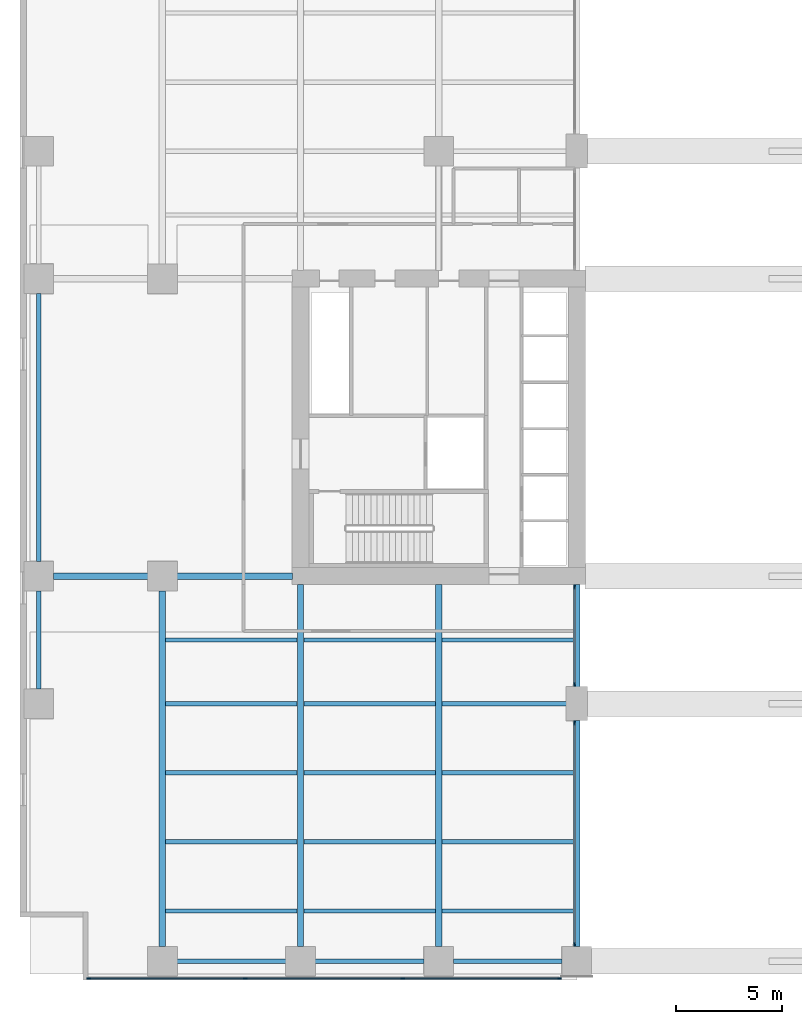
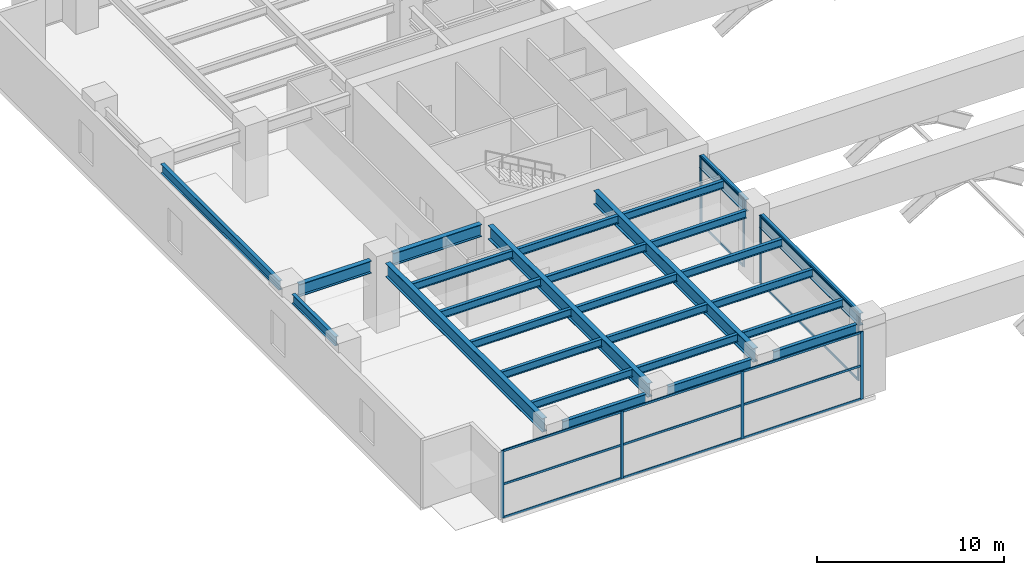
# One storey, part 2 of 23: 27 beams, 21 members, 3 elements without a shape of their own.
"""IFC4 building model written with IfcOpenShell, lengths in metres."""

from ifc_helpers import new_model, si_unit, direction, frame, origin, origin_2d, place, context, subcontext, project, spatial, rectangle, i_section, extrude, material, layer, layer_set, material_profile, profile_set, type_object, element, aggregate, save


model = new_model("IFC4")

# Units and contexts
model_context = context("Model", 3, precision=1e-05, world=origin(), true_north=direction((0.0, 1.0)))
body_context = subcontext(model_context, "Body", "Model", "MODEL_VIEW")
ifc_project = project(units=[si_unit("LENGTHUNIT", "METRE"), si_unit("AREAUNIT", "SQUARE_METRE"), si_unit("VOLUMEUNIT", "CUBIC_METRE"), si_unit("PLANEANGLEUNIT", "RADIAN"), si_unit("MASSUNIT", "GRAM", prefix="KILO")], contexts=[model_context])

# Site, building, storey
site_placement = place(None, origin())
site = spatial("IfcSite", under=ifc_project, at=site_placement, CompositionType="ELEMENT")
building_placement = place(site_placement, origin())
building = spatial("IfcBuilding", under=site, at=building_placement, Name="Putna Gate Headquarters", CompositionType="ELEMENT")
storey_placement = place(building_placement, frame((0.0, 0.0, 17.0)))
storey = spatial("IfcBuildingStorey", under=building, at=storey_placement, Name="L03", CompositionType="ELEMENT", Elevation=17.0)

# Beams
ifc_material_1 = material(Name="Steel S355J2", Category="steel")
ifc_material_profile_1 = material_profile(ifc_material_1, i_section(OverallWidth=0.300048828125, OverallDepth=0.800048828125, WebThickness=0.017578125, FlangeThickness=0.032958984375, at=origin_2d()), Name="Steel S355J2")
ifc_profile_set_1 = profile_set([ifc_material_profile_1], Name="Steel S355J2")
beam_type_1 = type_object("IfcBeamType", Name="BM-GIRD-P-HEB800", PredefinedType="USERDEFINED", material=ifc_profile_set_1)
beam_1_placement = place(storey_placement, frame((1.367919921875, 19.0, 4.0), z_axis=(1.0, 0.0, 0.0), x_axis=(0.0, 1.0, 0.0)))
element("IfcBeam", 1, at=beam_1_placement, inside=storey, type_object=beam_type_1, Name="L03 West Wing Girder Y19-1", ObjectType="GIRDER", PredefinedType="USERDEFINED", context=body_context, shape_type="SweptSolid", body=[
    extrude(i_section(OverallWidth=0.300048828125, OverallDepth=0.800048828125, WebThickness=0.017578125, FlangeThickness=0.032958984375, at=origin_2d()), origin(), (0.0, 0.0, 1.0), 4.444091796875),
])
beam_2_placement = place(storey_placement, frame((7.18798828125, 19.0, 4.0), z_axis=(1.0, 0.0, 0.0), x_axis=(0.0, 1.0, 0.0)))
element("IfcBeam", 2, at=beam_2_placement, inside=storey, type_object=beam_type_1, Name="L03 West Wing Girder Y19-2", ObjectType="GIRDER", PredefinedType="USERDEFINED", context=body_context, shape_type="SweptSolid", body=[
    extrude(i_section(OverallWidth=0.300048828125, OverallDepth=0.800048828125, WebThickness=0.017578125, FlangeThickness=0.032958984375, at=origin_2d()), origin(), (0.0, 0.0, 1.0), 5.427001953125),
])
beam_3_placement = place(storey_placement, frame((26.0, 1.568115234375, 4.0), z_axis=(0.0, 1.0, 0.0), x_axis=(-1.0, 0.0, 0.0)))
element("IfcBeam", 3, at=beam_3_placement, inside=storey, type_object=beam_type_1, Name="L03 South Primary Girder X26-1", ObjectType="GIRDER", PredefinedType="USERDEFINED", context=body_context, shape_type="SweptSolid", body=[
    extrude(i_section(OverallWidth=0.300048828125, OverallDepth=0.800048828125, WebThickness=0.017578125, FlangeThickness=0.032958984375, at=origin_2d()), origin(), (0.0, 0.0, 1.0), 10.643798828125),
])
beam_4_placement = place(storey_placement, frame((26.0, 13.7880859375, 4.0), z_axis=(0.0, 1.0, 0.0), x_axis=(-1.0, 0.0, 0.0)))
element("IfcBeam", 4, at=beam_4_placement, inside=storey, type_object=beam_type_1, Name="L03 South Primary Girder X26-2", ObjectType="GIRDER", PredefinedType="USERDEFINED", context=body_context, shape_type="SweptSolid", body=[
    extrude(i_section(OverallWidth=0.300048828125, OverallDepth=0.800048828125, WebThickness=0.017578125, FlangeThickness=0.032958984375, at=origin_2d()), origin(), (0.0, 0.0, 1.0), 4.826904296875),
])
ifc_material_profile_2 = material_profile(ifc_material_1, i_section(OverallWidth=0.300048828125, OverallDepth=0.89990234375, WebThickness=0.0185546875, FlangeThickness=0.034912109375, at=origin_2d()), Name="Steel S355J2")
ifc_profile_set_2 = profile_set([ifc_material_profile_2], Name="Steel S355J2")
beam_type_2 = type_object("IfcBeamType", Name="BM-SEC-AUD-HEB900", PredefinedType="USERDEFINED", material=ifc_profile_set_2)
beam_5_placement = place(storey_placement, frame((6.5, 1.568115234375, 3.949951171875), z_axis=(0.0, 1.0, 0.0), x_axis=(-1.0, 0.0, 0.0)))
element("IfcBeam", 5, at=beam_5_placement, inside=storey, type_object=beam_type_2, Name="L03 South Primary Girder X6", ObjectType="GIRDER", PredefinedType="USERDEFINED", context=body_context, shape_type="SweptSolid", body=[
    extrude(i_section(OverallWidth=0.300048828125, OverallDepth=0.89990234375, WebThickness=0.0185546875, FlangeThickness=0.034912109375, at=origin_2d()), origin(), (0.0, 0.0, 1.0), 16.743896484375),
])
for number, where, z_axis, x_axis, name in (
    (6, (13.0, 1.568115234375, 3.949951171875), (0.0, 1.0, 0.0), (-1.0, 0.0, 0.0), "L03 South Primary Girder X13"),
    (7, (19.5, 1.568115234375, 3.949951171875), (0.0, 1.0, 0.0), (-1.0, 0.0, 0.0), "L03 South Primary Girder X19"),
):
    element("IfcBeam", number, at=place(storey_placement, frame(where, z_axis=z_axis, x_axis=x_axis)), inside=storey, type_object=beam_type_2, Name=name, ObjectType="GIRDER", PredefinedType="USERDEFINED", context=body_context, shape_type="SweptSolid", body=[
        extrude(i_section(OverallWidth=0.300048828125, OverallDepth=0.89990234375, WebThickness=0.0185546875, FlangeThickness=0.034912109375, at=origin_2d()), origin(), (0.0, 0.0, 1.0), 17.046875),
    ])
ifc_material_profile_3 = material_profile(ifc_material_1, i_section(OverallWidth=0.199951171875, OverallDepth=0.5, WebThickness=0.01025390625, FlangeThickness=0.01611328125, at=origin_2d()), Name="Steel S355J2")
ifc_profile_set_3 = profile_set([ifc_material_profile_3], Name="Steel S355J2")
beam_type_3 = type_object("IfcBeamType", Name="BM-SEC-P-IPE500", PredefinedType="BEAM", material=ifc_profile_set_3)
for number, where, z_axis, x_axis, name in (
    (8, (6.654052734375, 3.25, 4.14990234375), (1.0, 0.0, 0.0), (0.0, 1.0, 0.0), "L03 South Secondary Beam 1"),
    (9, (6.654052734375, 6.5, 4.14990234375), (1.0, 0.0, 0.0), (0.0, 1.0, 0.0), "L03 South Secondary Beam 1"),
    (10, (6.654052734375, 9.75, 4.14990234375), (1.0, 0.0, 0.0), (0.0, 1.0, 0.0), "L03 South Secondary Beam 1"),
    (11, (6.654052734375, 13.0, 4.14990234375), (1.0, 0.0, 0.0), (0.0, 1.0, 0.0), "L03 South Secondary Beam 1"),
    (12, (6.654052734375, 16.0, 4.14990234375), (1.0, 0.0, 0.0), (0.0, 1.0, 0.0), "L03 South Secondary Beam 1"),
    (13, (13.154052734375, 3.25, 4.14990234375), (1.0, 0.0, 0.0), (0.0, 1.0, 0.0), "L03 South Secondary Beam 2"),
    (14, (13.154052734375, 6.5, 4.14990234375), (1.0, 0.0, 0.0), (0.0, 1.0, 0.0), "L03 South Secondary Beam 2"),
    (15, (13.154052734375, 9.75, 4.14990234375), (1.0, 0.0, 0.0), (0.0, 1.0, 0.0), "L03 South Secondary Beam 2"),
    (16, (13.154052734375, 13.0, 4.14990234375), (1.0, 0.0, 0.0), (0.0, 1.0, 0.0), "L03 South Secondary Beam 2"),
    (17, (13.154052734375, 16.0, 4.14990234375), (1.0, 0.0, 0.0), (0.0, 1.0, 0.0), "L03 South Secondary Beam 2"),
    (18, (19.654052734375, 3.25, 4.14990234375), (1.0, 0.0, 0.0), (0.0, 1.0, 0.0), "L03 South Secondary Beam 3"),
    (19, (19.654052734375, 6.5, 4.14990234375), (1.0, 0.0, 0.0), (0.0, 1.0, 0.0), "L03 South Secondary Beam 3"),
    (20, (19.654052734375, 9.75, 4.14990234375), (1.0, 0.0, 0.0), (0.0, 1.0, 0.0), "L03 South Secondary Beam 3"),
):
    element("IfcBeam", number, at=place(storey_placement, frame(where, z_axis=z_axis, x_axis=x_axis)), inside=storey, type_object=beam_type_3, Name=name, PredefinedType="BEAM", context=body_context, shape_type="SweptSolid", body=[
        extrude(i_section(OverallWidth=0.199951171875, OverallDepth=0.5, WebThickness=0.01025390625, FlangeThickness=0.01611328125, at=origin_2d()), origin(), (0.0, 0.0, 1.0), 6.19189453125),
    ])
beam_6_placement = place(storey_placement, frame((19.654052734375, 13.0, 4.14990234375), z_axis=(1.0, 0.0, 0.0), x_axis=(0.0, 1.0, 0.0)))
element("IfcBeam", 21, at=beam_6_placement, inside=storey, type_object=beam_type_3, Name="L03 South Secondary Beam 3", PredefinedType="BEAM", context=body_context, shape_type="SweptSolid", body=[
    extrude(i_section(OverallWidth=0.199951171875, OverallDepth=0.5, WebThickness=0.01025390625, FlangeThickness=0.01611328125, at=origin_2d()), origin(), (0.0, 0.0, 1.0), 5.85791015625),
])
beam_7_placement = place(storey_placement, frame((19.654052734375, 16.0, 4.14990234375), z_axis=(1.0, 0.0, 0.0), x_axis=(0.0, 1.0, 0.0)))
element("IfcBeam", 22, at=beam_7_placement, inside=storey, type_object=beam_type_3, Name="L03 South Secondary Beam 3", PredefinedType="BEAM", context=body_context, shape_type="SweptSolid", body=[
    extrude(i_section(OverallWidth=0.199951171875, OverallDepth=0.5, WebThickness=0.01025390625, FlangeThickness=0.01611328125, at=origin_2d()), origin(), (0.0, 0.0, 1.0), 6.19189453125),
])
ifc_material_profile_4 = material_profile(ifc_material_1, i_section(OverallWidth=0.219970703125, OverallDepth=0.60009765625, WebThickness=0.011962890625, FlangeThickness=0.01904296875, at=origin_2d()), Name="Steel S355J2")
ifc_profile_set_4 = profile_set([ifc_material_profile_4], Name="Steel S355J2")
beam_type_4 = type_object("IfcBeamType", Name="BM-SPAN-P-IPE600", PredefinedType="SPANDREL", material=ifc_profile_set_4)
for number, where, z_axis, x_axis, name in (
    (23, (7.18798828125, 0.8798828125, 4.10009765625), (1.0, 0.0, 0.0), (0.0, 1.0, 0.0), "L03 S Perimeter Spandrel 1"),
    (24, (13.68798828125, 0.8798828125, 4.10009765625), (1.0, 0.0, 0.0), (0.0, 1.0, 0.0), "L03 S Perimeter Spandrel 2"),
    (25, (20.18798828125, 0.8798828125, 4.10009765625), (1.0, 0.0, 0.0), (0.0, 1.0, 0.0), "L03 S Perimeter Spandrel 3"),
):
    element("IfcBeam", number, at=place(storey_placement, frame(where, z_axis=z_axis, x_axis=x_axis)), inside=storey, type_object=beam_type_4, Name=name, PredefinedType="SPANDREL", context=body_context, shape_type="SweptSolid", body=[
        extrude(i_section(OverallWidth=0.219970703125, OverallDepth=0.60009765625, WebThickness=0.011962890625, FlangeThickness=0.01904296875, at=origin_2d()), origin(), (0.0, 0.0, 1.0), 5.1240234375),
    ])
beam_8_placement = place(storey_placement, frame((0.679931640625, 13.68798828125, 4.10009765625), z_axis=(0.0, 1.0, 0.0), x_axis=(-1.0, 0.0, 0.0)))
element("IfcBeam", 26, at=beam_8_placement, inside=storey, type_object=beam_type_4, Name="L03 W End Spandrel 1", PredefinedType="SPANDREL", context=body_context, shape_type="SweptSolid", body=[
    extrude(i_section(OverallWidth=0.219970703125, OverallDepth=0.60009765625, WebThickness=0.011962890625, FlangeThickness=0.01904296875, at=origin_2d()), origin(), (0.0, 0.0, 1.0), 4.6240234375),
])
beam_9_placement = place(storey_placement, frame((0.679931640625, 19.68798828125, 4.10009765625), z_axis=(0.0, 1.0, 0.0), x_axis=(-1.0, 0.0, 0.0)))
element("IfcBeam", 27, at=beam_9_placement, inside=storey, type_object=beam_type_4, Name="L03 W End Spandrel 2", PredefinedType="SPANDREL", context=body_context, shape_type="SweptSolid", body=[
    extrude(i_section(OverallWidth=0.219970703125, OverallDepth=0.60009765625, WebThickness=0.011962890625, FlangeThickness=0.01904296875, at=origin_2d()), origin(), (0.0, 0.0, 1.0), 12.6240234375),
])

# Curtain wall, members
ifc_material_2 = material(Name="Anodised bronze aluminium curtain wall", Category="aluminium")
ifc_layer_1 = layer(ifc_material_2, 0.179931640625)
ifc_layer_set_1 = layer_set([ifc_layer_1], Name="Anodised bronze aluminium curtain wall")
curtain_wall_type_1 = type_object("IfcCurtainWallType", Name="CW-SYS-ATR", PredefinedType="USERDEFINED", material=ifc_layer_set_1)
curtain_wall_1_placement = place(storey_placement, origin())
curtain_wall_1 = element("IfcCurtainWall", 28, at=curtain_wall_1_placement, inside=storey, type_object=curtain_wall_type_1, Name="L03 Arch Flank Glazing W-S1", ObjectType="ATRIUM GLAZING", PredefinedType="USERDEFINED")
ifc_material_3 = material(Name="Anodised bronze aluminium EN AW-6060", Category="aluminium")
ifc_material_profile_5 = material_profile(ifc_material_3, rectangle(XDim=0.070068359375, YDim=0.179931640625, at=origin_2d()), Name="Anodised bronze aluminium EN AW-6060")
ifc_profile_set_5 = profile_set([ifc_material_profile_5], Name="Anodised bronze aluminium EN AW-6060")
member_type_1 = type_object("IfcMemberType", Name="MULL-CWM-AT", PredefinedType="MULLION", material=ifc_profile_set_5)
member_1_placement = place(storey_placement, frame((25.89990234375, 1.68505859375, 0.0), z_axis=(0.0, 0.0, 1.0), x_axis=(-1.0, 0.0, 0.0)))
member_1 = element("IfcMember", 29, at=member_1_placement, type_object=member_type_1, Name="CWS-AT mullion 1", PredefinedType="MULLION", context=body_context, shape_type="SweptSolid", body=[
    extrude(rectangle(XDim=0.070068359375, YDim=0.179931640625, at=origin_2d()), origin(), (0.0, 0.0, 1.0), 4.39990234375),
])
member_2_placement = place(storey_placement, frame((25.89990234375, 12.0849609375, 0.0), z_axis=(0.0, 0.0, 1.0), x_axis=(-1.0, 0.0, 0.0)))
member_2 = element("IfcMember", 30, at=member_2_placement, type_object=member_type_1, Name="CWS-AT mullion 2", PredefinedType="MULLION", context=body_context, shape_type="SweptSolid", body=[
    extrude(rectangle(XDim=0.070068359375, YDim=0.179931640625, at=origin_2d()), origin(), (0.0, 0.0, 1.0), 4.39990234375),
])

curtain_wall_2_placement = place(storey_placement, origin())
curtain_wall_2 = element("IfcCurtainWall", 31, at=curtain_wall_2_placement, inside=storey, type_object=curtain_wall_type_1, Name="L03 Arch Flank Glazing W-S2", ObjectType="ATRIUM GLAZING", PredefinedType="USERDEFINED")
member_3_placement = place(storey_placement, frame((25.89990234375, 13.9150390625, 0.0), z_axis=(0.0, 0.0, 1.0), x_axis=(-1.0, 0.0, 0.0)))
member_3 = element("IfcMember", 32, at=member_3_placement, type_object=member_type_1, Name="CWS-AT mullion 1", PredefinedType="MULLION", context=body_context, shape_type="SweptSolid", body=[
    extrude(rectangle(XDim=0.070068359375, YDim=0.179931640625, at=origin_2d()), origin(), (0.0, 0.0, 1.0), 4.39990234375),
])
member_4_placement = place(storey_placement, frame((25.89990234375, 18.485107421875, 0.0), z_axis=(0.0, 0.0, 1.0), x_axis=(-1.0, 0.0, 0.0)))
member_4 = element("IfcMember", 33, at=member_4_placement, type_object=member_type_1, Name="CWS-AT mullion 2", PredefinedType="MULLION", context=body_context, shape_type="SweptSolid", body=[
    extrude(rectangle(XDim=0.070068359375, YDim=0.179931640625, at=origin_2d()), origin(), (0.0, 0.0, 1.0), 4.39990234375),
])

ifc_layer_2 = layer(ifc_material_2, 0.179931640625)
ifc_layer_set_2 = layer_set([ifc_layer_2], Name="Anodised bronze aluminium curtain wall")
curtain_wall_type_2 = type_object("IfcCurtainWallType", Name="CW-SYS-POD", PredefinedType="USERDEFINED", material=ifc_layer_set_2)
curtain_wall_3_placement = place(storey_placement, origin())
curtain_wall_3 = element("IfcCurtainWall", 34, at=curtain_wall_3_placement, inside=storey, type_object=curtain_wall_type_2, Name="L03 South West Curtain Wall", ObjectType="STICK CURTAIN WALL", PredefinedType="USERDEFINED")
ifc_material_profile_6 = material_profile(ifc_material_3, rectangle(XDim=0.070068359375, YDim=0.179931640625, at=origin_2d()), Name="Anodised bronze aluminium EN AW-6060")
ifc_profile_set_6 = profile_set([ifc_material_profile_6], Name="Anodised bronze aluminium EN AW-6060")
member_type_2 = type_object("IfcMemberType", Name="MULL-CWM-P", PredefinedType="MULLION", material=ifc_profile_set_6)
member_5_placement = place(storey_placement, frame((3.034912109375, 0.080078125, 0.0), z_axis=(0.0, 0.0, 1.0), x_axis=(0.0, 1.0, 0.0)))
member_5 = element("IfcMember", 35, at=member_5_placement, type_object=member_type_2, Name="CWS-P mullion 1", PredefinedType="MULLION", context=body_context, shape_type="SweptSolid", body=[
    extrude(rectangle(XDim=0.070068359375, YDim=0.179931640625, at=origin_2d()), origin(), (0.0, 0.0, 1.0), 4.39990234375),
])
member_6_placement = place(storey_placement, frame((10.40673828125, 0.080078125, 0.0), z_axis=(0.0, 0.0, 1.0), x_axis=(0.0, 1.0, 0.0)))
member_6 = element("IfcMember", 36, at=member_6_placement, type_object=member_type_2, Name="CWS-P mullion 2", PredefinedType="MULLION", context=body_context, shape_type="SweptSolid", body=[
    extrude(rectangle(XDim=0.070068359375, YDim=0.179931640625, at=origin_2d()), origin(), (0.0, 0.0, 1.0), 4.39990234375),
])
member_7_placement = place(storey_placement, frame((17.813232421875, 0.080078125, 0.0), z_axis=(0.0, 0.0, 1.0), x_axis=(0.0, 1.0, 0.0)))
member_7 = element("IfcMember", 37, at=member_7_placement, type_object=member_type_2, Name="CWS-P mullion 3", PredefinedType="MULLION", context=body_context, shape_type="SweptSolid", body=[
    extrude(rectangle(XDim=0.070068359375, YDim=0.179931640625, at=origin_2d()), origin(), (0.0, 0.0, 1.0), 4.39990234375),
])
member_8_placement = place(storey_placement, frame((25.18505859375, 0.080078125, 0.0), z_axis=(0.0, 0.0, 1.0), x_axis=(0.0, 1.0, 0.0)))
member_8 = element("IfcMember", 38, at=member_8_placement, type_object=member_type_2, Name="CWS-P mullion 4", PredefinedType="MULLION", context=body_context, shape_type="SweptSolid", body=[
    extrude(rectangle(XDim=0.070068359375, YDim=0.179931640625, at=origin_2d()), origin(), (0.0, 0.0, 1.0), 4.39990234375),
])

# Member
ifc_material_profile_7 = material_profile(ifc_material_3, rectangle(XDim=0.070068359375, YDim=0.139892578125, at=origin_2d()), Name="Anodised bronze aluminium EN AW-6060")
ifc_profile_set_7 = profile_set([ifc_material_profile_7], Name="Anodised bronze aluminium EN AW-6060")
member_type_3 = type_object("IfcMemberType", Name="TRAN-CWT-AT", PredefinedType="USERDEFINED", material=ifc_profile_set_7)
member_9_placement = place(storey_placement, frame((25.89990234375, 1.719970703125, 0.034912109375), z_axis=(0.0, 1.0, 0.0), x_axis=(-1.0, 0.0, 0.0)))
member_9 = element("IfcMember", 39, at=member_9_placement, type_object=member_type_3, Name="CWS-AT transom 1.1", ObjectType="TRANSOM", PredefinedType="USERDEFINED", context=body_context, shape_type="SweptSolid", body=[
    extrude(rectangle(XDim=0.070068359375, YDim=0.139892578125, at=origin_2d()), origin(), (0.0, 0.0, 1.0), 10.330078125),
])

member_10_placement = place(storey_placement, frame((25.89990234375, 1.719970703125, 4.364990234375), z_axis=(0.0, 1.0, 0.0), x_axis=(-1.0, 0.0, 0.0)))
member_10 = element("IfcMember", 40, at=member_10_placement, type_object=member_type_3, Name="CWS-AT transom 1.2", ObjectType="TRANSOM", PredefinedType="USERDEFINED", context=body_context, shape_type="SweptSolid", body=[
    extrude(rectangle(XDim=0.070068359375, YDim=0.139892578125, at=origin_2d()), origin(), (0.0, 0.0, 1.0), 10.330078125),
])

aggregate(curtain_wall_1, [member_1, member_2, member_9, member_10])

member_11_placement = place(storey_placement, frame((25.89990234375, 13.949951171875, 0.034912109375), z_axis=(0.0, 1.0, 0.0), x_axis=(-1.0, 0.0, 0.0)))
member_11 = element("IfcMember", 41, at=member_11_placement, type_object=member_type_3, Name="CWS-AT transom 1.1", ObjectType="TRANSOM", PredefinedType="USERDEFINED", context=body_context, shape_type="SweptSolid", body=[
    extrude(rectangle(XDim=0.070068359375, YDim=0.139892578125, at=origin_2d()), origin(), (0.0, 0.0, 1.0), 4.5),
])

member_12_placement = place(storey_placement, frame((25.89990234375, 13.949951171875, 4.364990234375), z_axis=(0.0, 1.0, 0.0), x_axis=(-1.0, 0.0, 0.0)))
member_12 = element("IfcMember", 42, at=member_12_placement, type_object=member_type_3, Name="CWS-AT transom 1.2", ObjectType="TRANSOM", PredefinedType="USERDEFINED", context=body_context, shape_type="SweptSolid", body=[
    extrude(rectangle(XDim=0.070068359375, YDim=0.139892578125, at=origin_2d()), origin(), (0.0, 0.0, 1.0), 4.5),
])

aggregate(curtain_wall_2, [member_3, member_4, member_11, member_12])

ifc_material_profile_8 = material_profile(ifc_material_3, rectangle(XDim=0.070068359375, YDim=0.139892578125, at=origin_2d()), Name="Anodised bronze aluminium EN AW-6060")
ifc_profile_set_8 = profile_set([ifc_material_profile_8], Name="Anodised bronze aluminium EN AW-6060")
member_type_4 = type_object("IfcMemberType", Name="TRAN-CWT-P", PredefinedType="USERDEFINED", material=ifc_profile_set_8)
member_13_placement = place(storey_placement, frame((3.070068359375, 0.080078125, 0.034912109375), z_axis=(1.0, 0.0, 0.0), x_axis=(0.0, 1.0, 0.0)))
member_13 = element("IfcMember", 43, at=member_13_placement, type_object=member_type_4, Name="CWS-P transom 1.1", ObjectType="TRANSOM", PredefinedType="USERDEFINED", context=body_context, shape_type="SweptSolid", body=[
    extrude(rectangle(XDim=0.070068359375, YDim=0.139892578125, at=origin_2d()), origin(), (0.0, 0.0, 1.0), 7.301513671875),
])

member_14_placement = place(storey_placement, frame((3.070068359375, 0.080078125, 2.199951171875), z_axis=(1.0, 0.0, 0.0), x_axis=(0.0, 1.0, 0.0)))
member_14 = element("IfcMember", 44, at=member_14_placement, type_object=member_type_4, Name="CWS-P transom 1.2", ObjectType="TRANSOM", PredefinedType="USERDEFINED", context=body_context, shape_type="SweptSolid", body=[
    extrude(rectangle(XDim=0.070068359375, YDim=0.139892578125, at=origin_2d()), origin(), (0.0, 0.0, 1.0), 7.301513671875),
])

member_15_placement = place(storey_placement, frame((3.070068359375, 0.080078125, 4.364990234375), z_axis=(1.0, 0.0, 0.0), x_axis=(0.0, 1.0, 0.0)))
member_15 = element("IfcMember", 45, at=member_15_placement, type_object=member_type_4, Name="CWS-P transom 1.3", ObjectType="TRANSOM", PredefinedType="USERDEFINED", context=body_context, shape_type="SweptSolid", body=[
    extrude(rectangle(XDim=0.070068359375, YDim=0.139892578125, at=origin_2d()), origin(), (0.0, 0.0, 1.0), 7.301513671875),
])

member_16_placement = place(storey_placement, frame((10.441650390625, 0.080078125, 0.034912109375), z_axis=(1.0, 0.0, 0.0), x_axis=(0.0, 1.0, 0.0)))
member_16 = element("IfcMember", 46, at=member_16_placement, type_object=member_type_4, Name="CWS-P transom 2.1", ObjectType="TRANSOM", PredefinedType="USERDEFINED", context=body_context, shape_type="SweptSolid", body=[
    extrude(rectangle(XDim=0.070068359375, YDim=0.139892578125, at=origin_2d()), origin(), (0.0, 0.0, 1.0), 7.336669921875),
])

member_17_placement = place(storey_placement, frame((10.441650390625, 0.080078125, 2.199951171875), z_axis=(1.0, 0.0, 0.0), x_axis=(0.0, 1.0, 0.0)))
member_17 = element("IfcMember", 47, at=member_17_placement, type_object=member_type_4, Name="CWS-P transom 2.2", ObjectType="TRANSOM", PredefinedType="USERDEFINED", context=body_context, shape_type="SweptSolid", body=[
    extrude(rectangle(XDim=0.070068359375, YDim=0.139892578125, at=origin_2d()), origin(), (0.0, 0.0, 1.0), 7.336669921875),
])

member_18_placement = place(storey_placement, frame((10.441650390625, 0.080078125, 4.364990234375), z_axis=(1.0, 0.0, 0.0), x_axis=(0.0, 1.0, 0.0)))
member_18 = element("IfcMember", 48, at=member_18_placement, type_object=member_type_4, Name="CWS-P transom 2.3", ObjectType="TRANSOM", PredefinedType="USERDEFINED", context=body_context, shape_type="SweptSolid", body=[
    extrude(rectangle(XDim=0.070068359375, YDim=0.139892578125, at=origin_2d()), origin(), (0.0, 0.0, 1.0), 7.336669921875),
])

member_19_placement = place(storey_placement, frame((17.848388671875, 0.080078125, 0.034912109375), z_axis=(1.0, 0.0, 0.0), x_axis=(0.0, 1.0, 0.0)))
member_19 = element("IfcMember", 49, at=member_19_placement, type_object=member_type_4, Name="CWS-P transom 3.1", ObjectType="TRANSOM", PredefinedType="USERDEFINED", context=body_context, shape_type="SweptSolid", body=[
    extrude(rectangle(XDim=0.070068359375, YDim=0.139892578125, at=origin_2d()), origin(), (0.0, 0.0, 1.0), 7.301513671875),
])

member_20_placement = place(storey_placement, frame((17.848388671875, 0.080078125, 2.199951171875), z_axis=(1.0, 0.0, 0.0), x_axis=(0.0, 1.0, 0.0)))
member_20 = element("IfcMember", 50, at=member_20_placement, type_object=member_type_4, Name="CWS-P transom 3.2", ObjectType="TRANSOM", PredefinedType="USERDEFINED", context=body_context, shape_type="SweptSolid", body=[
    extrude(rectangle(XDim=0.070068359375, YDim=0.139892578125, at=origin_2d()), origin(), (0.0, 0.0, 1.0), 7.301513671875),
])

member_21_placement = place(storey_placement, frame((17.848388671875, 0.080078125, 4.364990234375), z_axis=(1.0, 0.0, 0.0), x_axis=(0.0, 1.0, 0.0)))
member_21 = element("IfcMember", 51, at=member_21_placement, type_object=member_type_4, Name="CWS-P transom 3.3", ObjectType="TRANSOM", PredefinedType="USERDEFINED", context=body_context, shape_type="SweptSolid", body=[
    extrude(rectangle(XDim=0.070068359375, YDim=0.139892578125, at=origin_2d()), origin(), (0.0, 0.0, 1.0), 7.301513671875),
])

aggregate(curtain_wall_3, [member_5, member_6, member_7, member_8, member_13, member_14, member_15, member_16, member_17, member_18, member_19, member_20, member_21])

save(model, "model.ifc")
